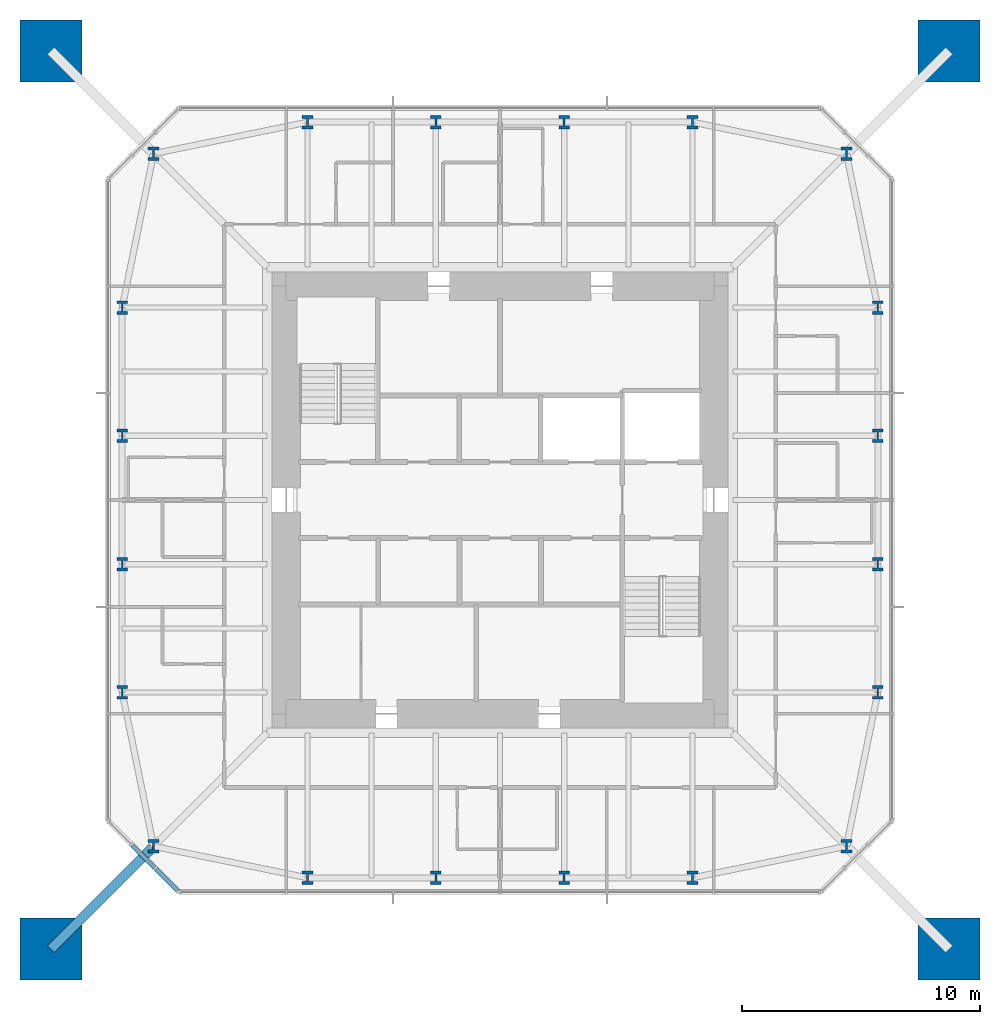
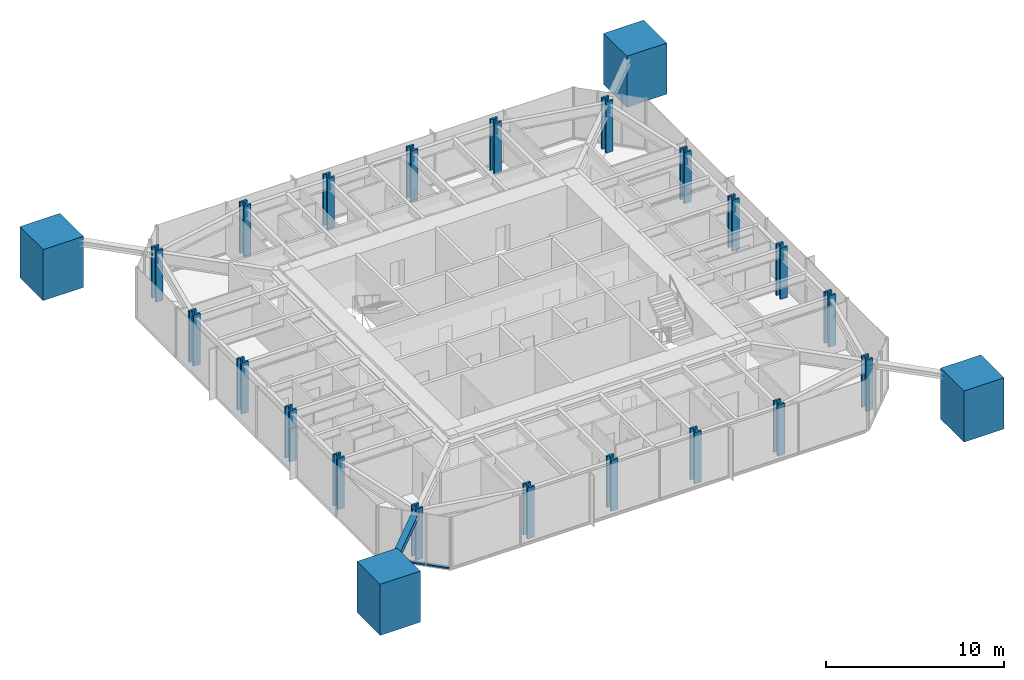
# One storey, part 1 of 9: 24 columns, 3 members, 1 element without a shape of its own.
"""IFC4 building model written with IfcOpenShell, lengths in metres."""

from ifc_helpers import new_model, si_unit, direction, frame, origin, origin_2d, place, context, subcontext, project, spatial, rectangle, i_section, extrude, material, material_profile, profile_set, type_object, element, aggregate, save


model = new_model("IFC4")

# Units and contexts
model_context = context("Model", 3, precision=1e-05, world=origin(), true_north=direction((0.0, 1.0)))
body_context = subcontext(model_context, "Body", "Model", "MODEL_VIEW")
ifc_project = project(units=[si_unit("LENGTHUNIT", "METRE"), si_unit("AREAUNIT", "SQUARE_METRE"), si_unit("VOLUMEUNIT", "CUBIC_METRE"), si_unit("PLANEANGLEUNIT", "RADIAN"), si_unit("MASSUNIT", "GRAM", prefix="KILO")], contexts=[model_context])

# Site, building, storey
site_placement = place(None, origin())
site = spatial("IfcSite", under=ifc_project, at=site_placement, CompositionType="ELEMENT")
building_placement = place(site_placement, origin())
building = spatial("IfcBuilding", under=site, at=building_placement, Name="Iwan Alto Co-Living Towers", CompositionType="ELEMENT")
storey_placement = place(building_placement, frame((0.0, 0.0, 232.5)))
storey = spatial("IfcBuildingStorey", under=building, at=storey_placement, Name="L63", CompositionType="ELEMENT", Elevation=232.5)

# Columns
ifc_material_1 = material(Name="Concrete f'c 70 MPa", Category="concrete")
ifc_material_profile_1 = material_profile(ifc_material_1, rectangle(XDim=2.60009765625, YDim=2.60009765625, at=origin_2d()), Name="RC 2600X2600")
ifc_profile_set_1 = profile_set([ifc_material_profile_1], Name="Concrete f'c 70 MPa")
column_type_1 = type_object("IfcColumnType", Name="T1 MEGA COLUMN RC 2600X2600", PredefinedType="COLUMN", material=ifc_profile_set_1)
for number, where, z_axis, x_axis, name in (
    (1, (-18.89990234375, -18.89990234375, 0.0), (0.0, 0.0, 1.0), (1.0, 0.0, 0.0), "T1 mega column SW L63"),
    (2, (18.89990234375, -18.89990234375, 0.0), (0.0, 0.0, 1.0), (1.0, 0.0, 0.0), "T1 mega column SE L63"),
    (3, (18.89990234375, 18.89990234375, 0.0), (0.0, 0.0, 1.0), (1.0, 0.0, 0.0), "T1 mega column NE L63"),
    (4, (-18.89990234375, 18.89990234375, 0.0), (0.0, 0.0, 1.0), (1.0, 0.0, 0.0), "T1 mega column NW L63"),
):
    element("IfcColumn", number, at=place(storey_placement, frame(where, z_axis=z_axis, x_axis=x_axis)), inside=storey, type_object=column_type_1, Name=name, PredefinedType="COLUMN", context=body_context, shape_type="SweptSolid", body=[
        extrude(rectangle(XDim=2.60009765625, YDim=2.60009765625, at=origin_2d()), origin(), (0.0, 0.0, 1.0), 3.5),
        extrude(i_section(OverallWidth=0.4775390625, OverallDepth=0.599365234375, WebThickness=0.10009765625, FlangeThickness=0.139892578125, at=origin_2d()), origin(), (0.0, 0.0, 1.0), 3.5),
    ])
ifc_material_2 = material(Name="Steel ASTM A992 Gr 50", Category="steel")
ifc_material_profile_2 = material_profile(ifc_material_2, i_section(OverallWidth=0.45458984375, OverallDepth=0.56884765625, WebThickness=0.077880859375, FlangeThickness=0.124755859375, at=origin_2d()), Name="W14X730")
ifc_profile_set_2 = profile_set([ifc_material_profile_2], Name="Steel ASTM A992 Gr 50")
column_type_2 = type_object("IfcColumnType", Name="T1 RING COLUMN W14X730", PredefinedType="COLUMN", material=ifc_profile_set_2)
for number, where, z_axis, x_axis, name in (
    (5, (-14.57568359375, -14.57568359375, 0.0), (0.0, 0.0, 1.0), (1.0, 0.0, 0.0), "T1 ring column CSW L63"),
    (6, (-8.10009765625, -15.89990234375, 0.0), (0.0, 0.0, 1.0), (1.0, 0.0, 0.0), "T1 ring column S1 L63"),
    (7, (-2.699951171875, -15.89990234375, 0.0), (0.0, 0.0, 1.0), (1.0, 0.0, 0.0), "T1 ring column S2 L63"),
    (8, (2.699951171875, -15.89990234375, 0.0), (0.0, 0.0, 1.0), (1.0, 0.0, 0.0), "T1 ring column S3 L63"),
    (9, (8.10009765625, -15.89990234375, 0.0), (0.0, 0.0, 1.0), (1.0, 0.0, 0.0), "T1 ring column S4 L63"),
    (10, (14.57568359375, -14.57568359375, 0.0), (0.0, 0.0, 1.0), (1.0, 0.0, 0.0), "T1 ring column CSE L63"),
    (11, (15.89990234375, -8.10009765625, 0.0), (0.0, 0.0, 1.0), (1.0, 0.0, 0.0), "T1 ring column E1 L63"),
    (12, (15.89990234375, -2.699951171875, 0.0), (0.0, 0.0, 1.0), (1.0, 0.0, 0.0), "T1 ring column E2 L63"),
    (13, (15.89990234375, 2.699951171875, 0.0), (0.0, 0.0, 1.0), (1.0, 0.0, 0.0), "T1 ring column E3 L63"),
    (14, (15.89990234375, 8.10009765625, 0.0), (0.0, 0.0, 1.0), (1.0, 0.0, 0.0), "T1 ring column E4 L63"),
    (15, (14.57568359375, 14.57568359375, 0.0), (0.0, 0.0, 1.0), (1.0, 0.0, 0.0), "T1 ring column CNE L63"),
    (16, (8.10009765625, 15.89990234375, 0.0), (0.0, 0.0, 1.0), (1.0, 0.0, 0.0), "T1 ring column N1 L63"),
    (17, (2.699951171875, 15.89990234375, 0.0), (0.0, 0.0, 1.0), (1.0, 0.0, 0.0), "T1 ring column N2 L63"),
    (18, (-2.699951171875, 15.89990234375, 0.0), (0.0, 0.0, 1.0), (1.0, 0.0, 0.0), "T1 ring column N3 L63"),
    (19, (-8.10009765625, 15.89990234375, 0.0), (0.0, 0.0, 1.0), (1.0, 0.0, 0.0), "T1 ring column N4 L63"),
    (20, (-14.57568359375, 14.57568359375, 0.0), (0.0, 0.0, 1.0), (1.0, 0.0, 0.0), "T1 ring column CNW L63"),
    (21, (-15.89990234375, 8.10009765625, 0.0), (0.0, 0.0, 1.0), (1.0, 0.0, 0.0), "T1 ring column W1 L63"),
    (22, (-15.89990234375, 2.699951171875, 0.0), (0.0, 0.0, 1.0), (1.0, 0.0, 0.0), "T1 ring column W2 L63"),
    (23, (-15.89990234375, -2.699951171875, 0.0), (0.0, 0.0, 1.0), (1.0, 0.0, 0.0), "T1 ring column W3 L63"),
    (24, (-15.89990234375, -8.10009765625, 0.0), (0.0, 0.0, 1.0), (1.0, 0.0, 0.0), "T1 ring column W4 L63"),
):
    element("IfcColumn", number, at=place(storey_placement, frame(where, z_axis=z_axis, x_axis=x_axis)), inside=storey, type_object=column_type_2, Name=name, PredefinedType="COLUMN", context=body_context, shape_type="SweptSolid", body=[
        extrude(i_section(OverallWidth=0.45458984375, OverallDepth=0.56884765625, WebThickness=0.077880859375, FlangeThickness=0.124755859375, at=origin_2d()), origin(), (0.0, 0.0, 1.0), 3.5),
    ])

# Curtain wall, members
ifc_material_3 = material(Name="Bronze aluminium unitised frame", Category="aluminium")
curtain_wall_type = type_object("IfcCurtainWallType", Name="CURTAIN WALL CW-B", PredefinedType="NOTDEFINED", material=ifc_material_3)
curtain_wall_placement = place(storey_placement, origin())
curtain_wall = element("IfcCurtainWall", 25, at=curtain_wall_placement, inside=storey, type_object=curtain_wall_type, Name="T1 chamfer curtain wall SW L63", PredefinedType="NOTDEFINED")
ifc_material_4 = material(Name="Aluminium 6063-T6 bronze anodised", Category="aluminium")
ifc_material_profile_3 = material_profile(ifc_material_4, rectangle(XDim=0.199951171875, YDim=0.10009765625, at=origin_2d()), Name="AL 200X100")
ifc_profile_set_3 = profile_set([ifc_material_profile_3], Name="Aluminium 6063-T6 bronze anodised")
member_type_1 = type_object("IfcMemberType", Name="CW-B TRANSOM 200X100", PredefinedType="USERDEFINED", material=ifc_profile_set_3)
member_1_placement = place(storey_placement, frame((-15.4716796875, -14.5283203125, 0.050048828125), z_axis=(0.707106781187, -0.707106781187, 0.0), x_axis=(0.707106781187, 0.707106781187, 0.0)))
member_1 = element("IfcMember", 26, at=member_1_placement, type_object=member_type_1, Name="CW-B transom 2.1", ObjectType="TRANSOM", PredefinedType="USERDEFINED", context=body_context, shape_type="SweptSolid", body=[
    extrude(rectangle(XDim=0.199951171875, YDim=0.10009765625, at=origin_2d()), origin(), (0.0, 0.0, 1.0), 1.334228515625),
])
member_2_placement = place(storey_placement, frame((-14.4716796875, -15.5283203125, 0.050048828125), z_axis=(0.707106781187, -0.707106781187, 0.0), x_axis=(0.707106781187, 0.707106781187, 0.0)))
member_2 = element("IfcMember", 27, at=member_2_placement, type_object=member_type_1, Name="CW-B transom 3.1", ObjectType="TRANSOM", PredefinedType="USERDEFINED", context=body_context, shape_type="SweptSolid", body=[
    extrude(rectangle(XDim=0.199951171875, YDim=0.10009765625, at=origin_2d()), origin(), (0.0, 0.0, 1.0), 1.2939453125),
])
aggregate(curtain_wall, [member_1, member_2])

# Member
ifc_material_5 = material(Name="Steel ASTM A992 Gr 50", Category="steel")
ifc_material_profile_4 = material_profile(ifc_material_5, i_section(OverallWidth=0.393798828125, OverallDepth=0.3759765625, WebThickness=0.017333984375, FlangeThickness=0.027587890625, at=origin_2d()), Name="W14X145")
ifc_profile_set_4 = profile_set([ifc_material_profile_4], Name="Steel ASTM A992 Gr 50")
member_type_2 = type_object("IfcMemberType", Name="T1 MEGA COLUMN FLOOR TIE W14X145", PredefinedType="STRUT", material=ifc_profile_set_4)
member_3_placement = place(storey_placement, frame((-18.89990234375, -18.89990234375, 3.08203125), z_axis=(0.707106781187, 0.707106781187, 0.0), x_axis=(-0.707106781187, 0.707106781187, 0.0)))
element("IfcMember", 28, at=member_3_placement, inside=storey, type_object=member_type_2, Name="T1 mega column floor tie SW L64", PredefinedType="STRUT", context=body_context, shape_type="SweptSolid", body=[
    extrude(i_section(OverallWidth=0.393798828125, OverallDepth=0.3759765625, WebThickness=0.017333984375, FlangeThickness=0.027587890625, at=origin_2d()), origin(), (0.0, 0.0, 1.0), 6.115478515625),
])

save(model, "model.ifc")
